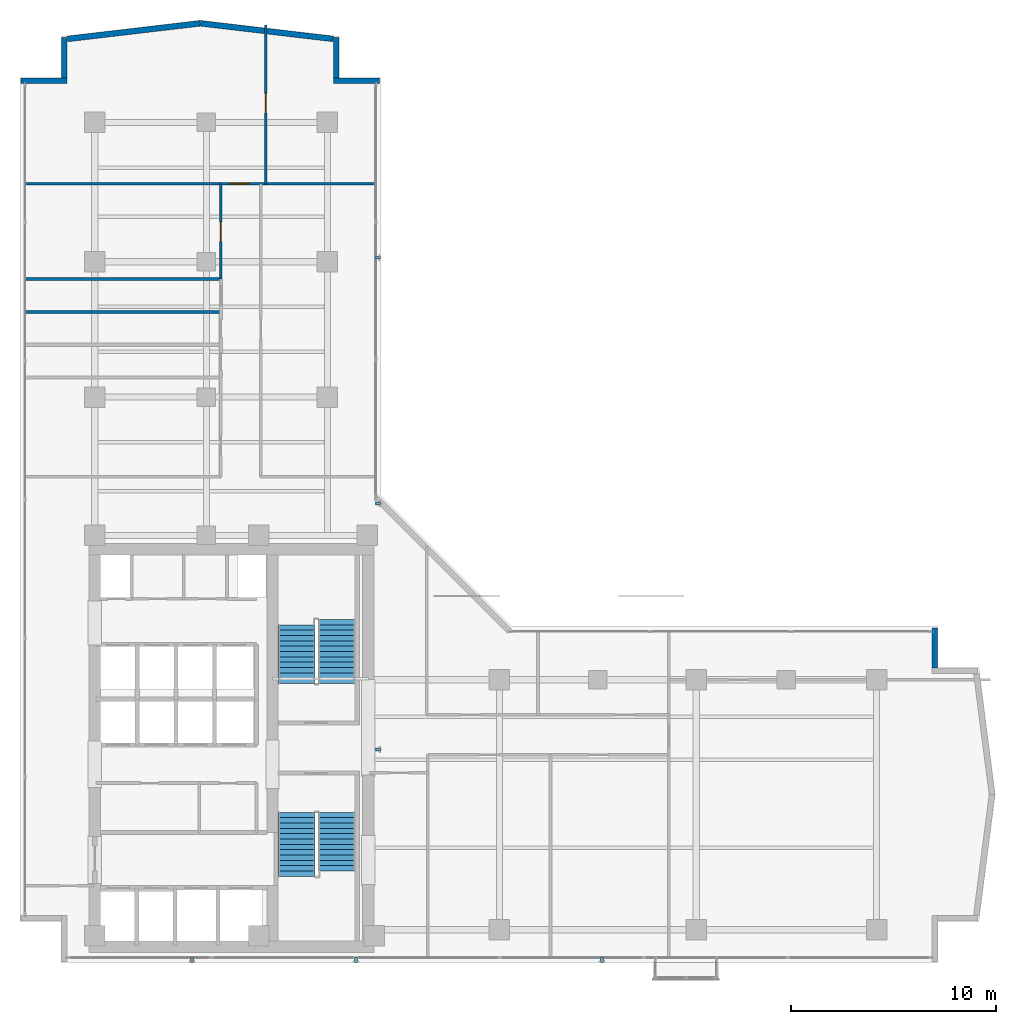
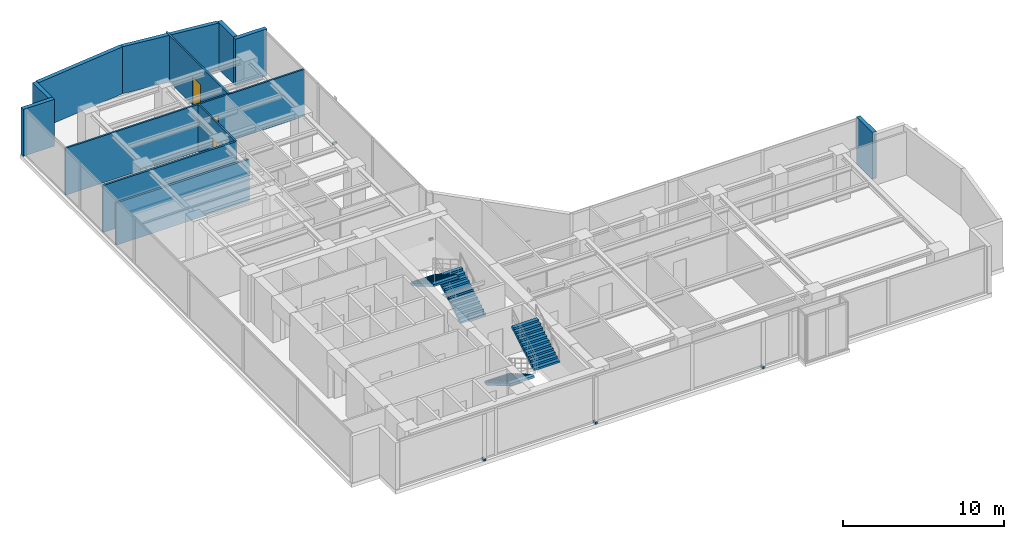
# One storey, part 19 of 25: 12 walls, 6 discrete accessories, 4 stair flights, 3 doors, 3 openings, 2 elements without a shape of their own.
"""IFC4 building model written with IfcOpenShell, lengths in metres."""

import ifcopenshell
import ifcopenshell.guid

model = None  # the IFC model being written
_history = None  # IfcOwnerHistory: only IFC2X3 demands one
_inside = {}  # id of a spatial element -> (the spatial element, [elements in it])
_under = {}  # id of a project, library or spatial element -> (it, [spatial elements below it])
_declared = {}  # id of a project -> (the project, [libraries it declares])
_typed = {}  # id of a type object -> (the type object, [elements of that type])
_made_of = {}  # id of a material, layer set ... -> (it, [elements and type objects made of it])


def new_model(schema):
    """Start an empty IFC model of exactly this schema.

    Asked for "IFC4X3", IfcOpenShell would pick the latest addendum, in which some entities
    have other attributes; the version numbers below select the first issue.
    IFC2X3 requires an IfcOwnerHistory on every rooted entity: one is made here for all.
    """
    global model, _history
    if schema == "IFC4X3":
        model = ifcopenshell.file(schema_version=(4, 3, 0, 0))
    else:
        model = ifcopenshell.file(schema=schema)
    _inside.clear()
    _under.clear()
    _declared.clear()
    _typed.clear()
    _made_of.clear()
    _history = None
    if model.schema == "IFC2X3":
        org = make("IfcOrganization", Name="unknown")
        user = make(
            "IfcPersonAndOrganization",
            ThePerson=make("IfcPerson", FamilyName="unknown"),
            TheOrganization=org,
        )
        app = make(
            "IfcApplication",
            ApplicationDeveloper=org,
            Version="unknown",
            ApplicationFullName="unknown",
            ApplicationIdentifier="unknown",
        )
        _history = make(
            "IfcOwnerHistory",
            OwningUser=user,
            OwningApplication=app,
            ChangeAction="ADDED",
            CreationDate=0,
        )
    return model


def make(cls, **values):
    """One entity of the class cls with the attributes given. An attribute that is None is left unset."""
    return model.create_entity(
        cls, **{name: value for name, value in values.items() if value is not None}
    )


def rooted(cls, **values):
    """An entity with a GlobalId (a new one), such as an element, a storey or a relation."""
    return make(cls, GlobalId=ifcopenshell.guid.new(), OwnerHistory=_history, **values)


def si_unit(unit_type, name, prefix=None):
    """IfcSIUnit, for example si_unit("LENGTHUNIT", "METRE", prefix="MILLI")."""
    return make("IfcSIUnit", UnitType=unit_type, Prefix=prefix, Name=name)


def assignment(units):
    """IfcUnitAssignment: the units of a project."""
    return None if units is None else make("IfcUnitAssignment", Units=units)


def point(xyz):
    """IfcCartesianPoint."""
    return None if xyz is None else make("IfcCartesianPoint", Coordinates=xyz)


def direction(xyz):
    """IfcDirection."""
    return None if xyz is None else make("IfcDirection", DirectionRatios=xyz)


def frame(location, z_axis=None, x_axis=None):
    """IfcAxis2Placement3D, a coordinate frame: its origin and axes. An axis left out is left unset."""
    return make(
        "IfcAxis2Placement3D",
        Location=point(location),
        Axis=direction(z_axis),
        RefDirection=direction(x_axis),
    )


def frame_2d(location, x_axis=None):
    """IfcAxis2Placement2D, a coordinate frame in the plane: its origin and x axis."""
    return make(
        "IfcAxis2Placement2D", Location=point(location), RefDirection=direction(x_axis)
    )


def origin():
    """The frame at (0, 0, 0) with its axes left unset."""
    return frame((0.0, 0.0, 0.0))


def origin_with_axes():
    """The frame at (0, 0, 0) with the z axis (0, 0, 1) and the x axis (1, 0, 0) written out."""
    return frame((0.0, 0.0, 0.0), z_axis=(0.0, 0.0, 1.0), x_axis=(1.0, 0.0, 0.0))


def origin_2d():
    """The frame at (0, 0) in the plane with its x axis left unset."""
    return frame_2d((0.0, 0.0))


def place(relative_to, where):
    """IfcLocalPlacement: puts the frame where relative to a parent placement (None: the world)."""
    return make(
        "IfcLocalPlacement", PlacementRelTo=relative_to, RelativePlacement=where
    )


def context(
    kind, dimensions, precision=None, world=None, true_north=None, identifier=None
):
    """IfcGeometricRepresentationContext, for example the 3D "Model" context."""
    return make(
        "IfcGeometricRepresentationContext",
        ContextIdentifier=identifier,
        ContextType=kind,
        CoordinateSpaceDimension=dimensions,
        Precision=precision,
        WorldCoordinateSystem=world,
        TrueNorth=true_north,
    )


def subcontext(parent, identifier, kind, view, scale=None):
    """IfcGeometricRepresentationSubContext, for example "Body" below "Model"."""
    return make(
        "IfcGeometricRepresentationSubContext",
        ContextIdentifier=identifier,
        ContextType=kind,
        ParentContext=parent,
        TargetScale=scale,
        TargetView=view,
    )


def project(units=None, contexts=None):
    """IfcProject with its units and contexts."""
    return rooted(
        "IfcProject",
        Name="project",
        RepresentationContexts=contexts,
        UnitsInContext=assignment(units),
    )


def spatial(cls, under=None, at=None, **own):
    """A site, building, storey or space (cls), placed at a placement, below another one or the project."""
    s = rooted(cls, ObjectPlacement=at, **own)
    if under is not None:
        _under.setdefault(under.id(), (under, []))[1].append(s)
    return s


def polyline(points):
    """IfcPolyline through the points."""
    return make("IfcPolyline", Points=[point(p) for p in points])


def profile(cls, at=None, kind="AREA", **sizes):
    """A parametric profile (cls). Its sizes go by their IFC names, for example OverallWidth=200.0."""
    return make(cls, ProfileType=kind, Position=at, **sizes)


def rectangle(**sizes):
    """IfcRectangleProfileDef."""
    return profile("IfcRectangleProfileDef", **sizes)


def outline(outer, holes=None, kind="AREA"):
    """IfcArbitraryClosedProfileDef: a profile drawn as a closed curve; with holes, ...WithVoids."""
    if holes is None:
        return make("IfcArbitraryClosedProfileDef", ProfileType=kind, OuterCurve=outer)
    return make(
        "IfcArbitraryProfileDefWithVoids",
        ProfileType=kind,
        OuterCurve=outer,
        InnerCurves=holes,
    )


def extrude(swept, where, along, depth):
    """IfcExtrudedAreaSolid: the profile swept, set in the frame where, extruded along a direction by depth."""
    return make(
        "IfcExtrudedAreaSolid",
        SweptArea=swept,
        Position=where,
        ExtrudedDirection=direction(along),
        Depth=depth,
    )


def shape(context_of_items, identifier, shape_type, items):
    """IfcShapeRepresentation: the items that make up one representation, for example the "Body"."""
    return make(
        "IfcShapeRepresentation",
        ContextOfItems=context_of_items,
        RepresentationIdentifier=identifier,
        RepresentationType=shape_type,
        Items=items,
    )


def source(mapping_origin, context_of_items, identifier, shape_type, items):
    """IfcRepresentationMap: a shape defined once, which mapped items show again and again."""
    return make(
        "IfcRepresentationMap",
        MappingOrigin=mapping_origin,
        MappedRepresentation=shape(context_of_items, identifier, shape_type, items),
    )


def transform(
    local_origin,
    x_axis=None,
    y_axis=None,
    z_axis=None,
    scale=None,
    scale2=None,
    scale3=None,
    uniform=True,
):
    """IfcCartesianTransformationOperator3D, or its non-uniform kind. x_axis, y_axis, z_axis: its Axis1, 2, 3."""
    if uniform:
        return make(
            "IfcCartesianTransformationOperator3D",
            Axis1=direction(x_axis),
            Axis2=direction(y_axis),
            LocalOrigin=point(local_origin),
            Scale=scale,
            Axis3=direction(z_axis),
        )
    return make(
        "IfcCartesianTransformationOperator3DnonUniform",
        Axis1=direction(x_axis),
        Axis2=direction(y_axis),
        LocalOrigin=point(local_origin),
        Scale=scale,
        Axis3=direction(z_axis),
        Scale2=scale2,
        Scale3=scale3,
    )


def mapped(mapping_source, mapping_target):
    """IfcMappedItem: shows the shape of a source again, moved by a transform."""
    return make(
        "IfcMappedItem", MappingSource=mapping_source, MappingTarget=mapping_target
    )


def material(Name=None, Category=None):
    """IfcMaterial."""
    return make("IfcMaterial", Name=Name, Category=Category)


def layer(
    of_material, thickness, ventilated=None, Name=None, Category=None, Priority=None
):
    """IfcMaterialLayer: one layer of a wall or slab, of a material (None: an air gap)."""
    return make(
        "IfcMaterialLayer",
        Material=of_material,
        LayerThickness=thickness,
        IsVentilated=ventilated,
        Name=Name,
        Category=Category,
        Priority=Priority,
    )


def layer_set(layers, Name=None):
    """IfcMaterialLayerSet."""
    return make("IfcMaterialLayerSet", MaterialLayers=layers, LayerSetName=Name)


def made_of(thing, what):
    """Note that an element or type object is made of a material, layer set ...; save() writes the relation."""
    if what is not None:
        _made_of.setdefault(what.id(), (what, []))[1].append(thing)
    return thing


def type_object(cls, material=None, **own):
    """A type object (cls), such as IfcWallType, which elements share."""
    return made_of(rooted(cls, **own), material)


def element(
    cls,
    number,
    at=None,
    inside=None,
    cuts=None,
    type_object=None,
    material=None,
    context=None,
    identifier="Body",
    shape_type=None,
    held_by="IfcProductDefinitionShape",
    body=None,
    shapes=None,
    **own,
):
    """One element of the class cls, such as IfcWall. Its Tag is "e" and its number.

    at: its placement. inside: the storey or other place that contains it. cuts: it is an
    opening in that element (IfcRelVoidsElement). A single representation is given by context,
    identifier, shape_type and body (its items); several are given by shapes. held_by: the class
    of the entity that holds the representations. save() writes the other relations.
    """
    e = rooted(cls, Tag="e%d" % number, ObjectPlacement=at, **own)
    if body is not None:
        shapes = [shape(context, identifier, shape_type, body)]
    if shapes is not None:
        e.Representation = make(held_by, Representations=shapes)
    if inside is not None:
        _inside.setdefault(inside.id(), (inside, []))[1].append(e)
    if cuts is not None:
        rooted(
            "IfcRelVoidsElement", RelatingBuildingElement=cuts, RelatedOpeningElement=e
        )
    if type_object is not None:
        _typed.setdefault(type_object.id(), (type_object, []))[1].append(e)
    return made_of(e, material)


def fill(opening, filler):
    """IfcRelFillsElement: the door or window that sits in an opening."""
    return rooted(
        "IfcRelFillsElement",
        RelatingOpeningElement=opening,
        RelatedBuildingElement=filler,
    )


def aggregate(whole, parts):
    """IfcRelAggregates: a whole, such as a stair, and the parts it consists of."""
    return rooted("IfcRelAggregates", RelatingObject=whole, RelatedObjects=parts)


def save(model, path):
    """Write the relations noted so far, then the file.

    IfcRelAggregates (storeys below a building ...), IfcRelContainedInSpatialStructure (elements
    in a storey), IfcRelDefinesByType, IfcRelAssociatesMaterial and IfcRelDeclares: one each for
    every whole, place, type object, material and project.
    """
    for whole, parts in _under.values():
        aggregate(whole, parts)
    for where, things in _inside.values():
        rooted(
            "IfcRelContainedInSpatialStructure",
            RelatedElements=things,
            RelatingStructure=where,
        )
    for kind, things in _typed.values():
        rooted("IfcRelDefinesByType", RelatedObjects=things, RelatingType=kind)
    for what, things in _made_of.values():
        rooted("IfcRelAssociatesMaterial", RelatedObjects=things, RelatingMaterial=what)
    for by, libraries in _declared.values():
        rooted("IfcRelDeclares", RelatingContext=by, RelatedDefinitions=libraries)
    model.write(path)


model = new_model("IFC4")

# Units and contexts
model_context = context("Model", 3, precision=1e-05, world=origin(), true_north=direction((0.0, 1.0)))
body_context = subcontext(model_context, "Body", "Model", "MODEL_VIEW")
ifc_project = project(units=[si_unit("LENGTHUNIT", "METRE"), si_unit("AREAUNIT", "SQUARE_METRE"), si_unit("VOLUMEUNIT", "CUBIC_METRE"), si_unit("PLANEANGLEUNIT", "RADIAN"), si_unit("MASSUNIT", "GRAM", prefix="KILO")], contexts=[model_context])

# Site, building, storey
site_placement = place(None, origin())
site = spatial("IfcSite", under=ifc_project, at=site_placement, CompositionType="ELEMENT")
building_placement = place(site_placement, origin())
building = spatial("IfcBuilding", under=site, at=building_placement, Name="Kolvaren Waterfront Exchange", CompositionType="ELEMENT")
storey_placement = place(building_placement, frame((0.0, 0.0, 223.5)))
storey = spatial("IfcBuildingStorey", under=building, at=storey_placement, Name="L57", CompositionType="ELEMENT", Elevation=223.5)

# Walls
ifc_material_1 = material(Name="Precast concrete C40/50", Category="concrete")
ifc_layer_1 = layer(ifc_material_1, 0.280029296875, Name="Precast concrete C40/50")
ifc_layer_set_1 = layer_set([ifc_layer_1], Name="Precast concrete C40/50")
wall_type_1 = type_object("IfcWallType", Name="ARC-EXT-TERR-280", PredefinedType="SOLIDWALL", material=ifc_layer_set_1)
wall_1_placement = place(storey_placement, frame((48.43994140625, 17.965087890625, 0.0), z_axis=(0.0, 0.0, 1.0), x_axis=(0.0, 1.0, 0.0)))
element("IfcWall", 1, at=wall_1_placement, inside=storey, type_object=wall_type_1, Name="L57 notched corner spandrel pier ENE-A", PredefinedType="SOLIDWALL", context=body_context, shape_type="SweptSolid", body=[
    extrude(rectangle(XDim=1.974853515625, YDim=0.280029296875, at=frame_2d((0.9873046875, 0.0))), origin(), (0.0, 0.0, 1.0), 3.56005859375),
])
wall_2_placement = place(storey_placement, frame((19.10009765625, 46.639892578125, 0.0), z_axis=(0.0, 0.0, 1.0), x_axis=(1.0, 0.0, 0.0)))
element("IfcWall", 2, at=wall_2_placement, inside=storey, type_object=wall_type_1, Name="L57 notched corner spandrel pier NNE-A", PredefinedType="SOLIDWALL", context=body_context, shape_type="SweptSolid", body=[
    extrude(rectangle(XDim=2.239990234375, YDim=0.280029296875, at=frame_2d((1.1201171875, 0.0))), origin(), (0.0, 0.0, 1.0), 3.56005859375),
])
wall_3_placement = place(storey_placement, frame((19.239990234375, 46.780029296875, 0.0), z_axis=(0.0, 0.0, 1.0), x_axis=(0.0, 1.0, 0.0)))
element("IfcWall", 3, at=wall_3_placement, inside=storey, type_object=wall_type_1, Name="L57 notched corner spandrel pier NNE-B", PredefinedType="SOLIDWALL", context=body_context, shape_type="SweptSolid", body=[
    extrude(rectangle(XDim=1.9599609375, YDim=0.280029296875, at=frame_2d((0.97998046875, 0.0))), origin(), (0.0, 0.0, 1.0), 3.56005859375),
])
wall_4_placement = place(storey_placement, frame((3.860107421875, 46.639892578125, 0.0), z_axis=(0.0, 0.0, 1.0), x_axis=(1.0, 0.0, 0.0)))
element("IfcWall", 4, at=wall_4_placement, inside=storey, type_object=wall_type_1, Name="L57 notched corner spandrel pier NW-A", PredefinedType="SOLIDWALL", context=body_context, shape_type="SweptSolid", body=[
    extrude(rectangle(XDim=2.239990234375, YDim=0.280029296875, at=frame_2d((1.1201171875, 0.0))), origin(), (0.0, 0.0, 1.0), 3.56005859375),
])
wall_5_placement = place(storey_placement, frame((5.9599609375, 46.780029296875, 0.0), z_axis=(0.0, 0.0, 1.0), x_axis=(0.0, 1.0, 0.0)))
element("IfcWall", 5, at=wall_5_placement, inside=storey, type_object=wall_type_1, Name="L57 notched corner spandrel pier NW-B", PredefinedType="SOLIDWALL", context=body_context, shape_type="SweptSolid", body=[
    extrude(rectangle(XDim=1.9599609375, YDim=0.280029296875, at=frame_2d((0.97998046875, 0.0))), origin(), (0.0, 0.0, 1.0), 3.56005859375),
])
for number, where, z_axis, x_axis, name in (
    (6, (19.08349609375, 48.676025390625, 0.0), (0.0, 0.0, 1.0), (-0.993149072278, 0.11685426921, 0.0), "L57 north prow faceted facade wall 1"),
    (7, (12.598876953125, 49.438720703125, 0.0), (0.0, 0.0, 1.0), (-0.993149072278, -0.11685426921, 0.0), "L57 north prow faceted facade wall 2"),
):
    element("IfcWall", number, at=place(storey_placement, frame(where, z_axis=z_axis, x_axis=x_axis)), inside=storey, type_object=wall_type_1, Name=name, PredefinedType="SOLIDWALL", context=body_context, shape_type="SweptSolid", body=[
        extrude(rectangle(XDim=6.52685546875, YDim=0.280029296875, at=frame_2d((3.263427734375, 0.0))), origin(), (0.0, 0.0, 1.0), 3.56005859375),
    ])

# Wall, opening, door
ifc_material_2 = material(Name="Acoustic gypsum steel stud", Category="steel")
ifc_layer_2 = layer(ifc_material_2, 0.125, Name="Acoustic gypsum steel stud")
ifc_layer_set_2 = layer_set([ifc_layer_2], Name="Acoustic gypsum steel stud")
wall_type_2 = type_object("IfcWallType", Name="ARC-PART-125", PredefinedType="PARTITIONING", material=ifc_layer_set_2)
wall_6_placement = place(storey_placement, frame((13.60009765625, 36.949951171875, 0.0), z_axis=(0.0, 0.0, 1.0), x_axis=(0.0, 1.0, 0.0)))
wall_6 = element("IfcWall", 8, at=wall_6_placement, inside=storey, type_object=wall_type_2, Name="L57 interior wall PW-L57-NW-CORR", PredefinedType="PARTITIONING", context=body_context, shape_type="SweptSolid", body=[
    extrude(rectangle(XDim=4.650146484375, YDim=0.125, at=frame_2d((2.3251953125, 0.0))), origin(), (0.0, 0.0, 1.0), 3.56005859375),
])
opening_1_placement = place(wall_6_placement, frame((1.85009765625, 0.0, 0.0)))
opening_1 = element("IfcOpeningElement", 9, at=opening_1_placement, cuts=wall_6, Name="Opening D02", PredefinedType="OPENING", context=body_context, shape_type="SweptSolid", body=[
    extrude(rectangle(XDim=0.949951171875, YDim=2.14990234375, at=frame_2d((0.47509765625, 1.074951171875))), frame((0.0, 0.072509765625, 0.0), z_axis=(0.0, -1.0, 0.0), x_axis=(1.0, 0.0, 0.0)), (0.0, 0.0, 1.0), 0.14501953125),
])
ifc_material_3 = material(Name="Oak veneer acoustic timber", Category="wood")
door_type_1 = type_object("IfcDoorType", Name="ARC-DR-950", OperationType="NOTDEFINED", PredefinedType="DOOR", material=ifc_material_3)
door_1_placement = place(opening_1_placement, origin())
door_1 = element("IfcDoor", 10, at=door_1_placement, inside=storey, type_object=door_type_1, Name="L57 door DR-L57-NW-D-1 (D02)", OperationType="SINGLE_SWING_RIGHT", OverallHeight=2.14990234375, OverallWidth=0.949951171875, PredefinedType="DOOR", context=body_context, shape_type="SweptSolid", body=[
    extrude(rectangle(XDim=0.949951171875, YDim=2.14990234375, at=frame_2d((0.47509765625, 1.074951171875))), frame((0.0, 0.02490234375, 0.0), z_axis=(0.0, -1.0, 0.0), x_axis=(1.0, 0.0, 0.0)), (0.0, 0.0, 1.0), 0.050048828125),
])
fill(opening_1, door_1)

wall_7_placement = place(storey_placement, frame((4.0400390625, 41.60009765625, 0.0), z_axis=(0.0, 0.0, 1.0), x_axis=(1.0, 0.0, 0.0)))
wall_7 = element("IfcWall", 11, at=wall_7_placement, inside=storey, type_object=wall_type_2, Name="L57 interior wall PW-L57-NTIP-S", PredefinedType="PARTITIONING", context=body_context, shape_type="SweptSolid", body=[
    extrude(rectangle(XDim=17.119873046875, YDim=0.125, at=frame_2d((8.56005859375, 0.0))), origin(), (0.0, 0.0, 1.0), 3.56005859375),
])
opening_2_placement = place(wall_7_placement, frame((9.9599609375, 0.0, 0.0)))
opening_2 = element("IfcOpeningElement", 12, at=opening_2_placement, cuts=wall_7, Name="Opening D03", PredefinedType="OPENING", context=body_context, shape_type="SweptSolid", body=[
    extrude(rectangle(XDim=1.0, YDim=2.199951171875, at=frame_2d((0.5, 1.10009765625))), frame((0.0, 0.072509765625, 0.0), z_axis=(0.0, -1.0, 0.0), x_axis=(1.0, 0.0, 0.0)), (0.0, 0.0, 1.0), 0.14501953125),
])
ifc_material_4 = material(Name="Oak veneer accessible timber", Category="wood")
door_type_2 = type_object("IfcDoorType", Name="ARC-DR-1000", OperationType="NOTDEFINED", PredefinedType="DOOR", material=ifc_material_4)
door_2_placement = place(opening_2_placement, origin())
door_2 = element("IfcDoor", 13, at=door_2_placement, inside=storey, type_object=door_type_2, Name="L57 door DR-L57-NTIPW-D (D03)", OperationType="SINGLE_SWING_LEFT", OverallHeight=2.199951171875, OverallWidth=1.0, PredefinedType="DOOR", context=body_context, shape_type="SweptSolid", body=[
    extrude(rectangle(XDim=1.0, YDim=2.199951171875, at=frame_2d((0.5, 1.10009765625))), frame((0.0, 0.02490234375, 0.0), z_axis=(0.0, -1.0, 0.0), x_axis=(1.0, 0.0, 0.0)), (0.0, 0.0, 1.0), 0.050048828125),
])
fill(opening_2, door_2)

wall_8_placement = place(storey_placement, frame((15.800048828125, 41.60009765625, 0.0), z_axis=(0.0, 0.0, 1.0), x_axis=(0.0, 1.0, 0.0)))
wall_8 = element("IfcWall", 14, at=wall_8_placement, inside=storey, type_object=wall_type_2, Name="L57 interior wall PW-L57-NTIP-DIV", PredefinedType="PARTITIONING", context=body_context, shape_type="SweptSolid", body=[
    extrude(rectangle(XDim=7.760009765625, YDim=0.125, at=frame_2d((3.8798828125, 0.0))), origin(), (0.0, 0.0, 1.0), 3.56005859375),
])
opening_3_placement = place(wall_8_placement, frame((3.470458984375, 0.0, 0.0)))
opening_3 = element("IfcOpeningElement", 15, at=opening_3_placement, cuts=wall_8, Name="Opening D02", PredefinedType="OPENING", context=body_context, shape_type="SweptSolid", body=[
    extrude(rectangle(XDim=0.949951171875, YDim=2.14990234375, at=frame_2d((0.47509765625, 1.074951171875))), frame((0.0, 0.072509765625, 0.0), z_axis=(0.0, -1.0, 0.0), x_axis=(1.0, 0.0, 0.0)), (0.0, 0.0, 1.0), 0.14501953125),
])
door_3_placement = place(opening_3_placement, origin())
door_3 = element("IfcDoor", 16, at=door_3_placement, inside=storey, type_object=door_type_1, Name="L57 door DR-L57-NTIPE-D (D02)", OperationType="SINGLE_SWING_RIGHT", OverallHeight=2.14990234375, OverallWidth=0.949951171875, PredefinedType="DOOR", context=body_context, shape_type="SweptSolid", body=[
    extrude(rectangle(XDim=0.949951171875, YDim=2.14990234375, at=frame_2d((0.47509765625, 1.074951171875))), frame((0.0, 0.02490234375, 0.0), z_axis=(0.0, -1.0, 0.0), x_axis=(1.0, 0.0, 0.0)), (0.0, 0.0, 1.0), 0.050048828125),
])
fill(opening_3, door_3)

# Walls
ifc_material_5 = material(Name="Moisture-resistant gypsum stud")
ifc_layer_3 = layer(ifc_material_5, 0.14990234375, Name="Moisture-resistant gypsum stud")
ifc_layer_set_3 = layer_set([ifc_layer_3], Name="Moisture-resistant gypsum stud")
wall_type_3 = type_object("IfcWallType", Name="ARC-PLUMB-150", PredefinedType="PLUMBINGWALL", material=ifc_layer_set_3)
wall_9_placement = place(storey_placement, frame((4.0400390625, 35.35009765625, 0.0), z_axis=(0.0, 0.0, 1.0), x_axis=(1.0, 0.0, 0.0)))
element("IfcWall", 17, at=wall_9_placement, inside=storey, type_object=wall_type_3, Name="L57 interior wall PW-L57-WC-2", PredefinedType="PLUMBINGWALL", context=body_context, shape_type="SweptSolid", body=[
    extrude(rectangle(XDim=9.56005859375, YDim=0.14990234375, at=frame_2d((4.780029296875, 0.0))), origin(), (0.0, 0.0, 1.0), 3.199951171875),
])
wall_10_placement = place(storey_placement, frame((4.0400390625, 36.949951171875, 0.0), z_axis=(0.0, 0.0, 1.0), x_axis=(1.0, 0.0, 0.0)))
element("IfcWall", 18, at=wall_10_placement, inside=storey, type_object=wall_type_3, Name="L57 interior wall PW-L57-WC-3", PredefinedType="PLUMBINGWALL", context=body_context, shape_type="SweptSolid", body=[
    extrude(rectangle(XDim=9.56005859375, YDim=0.14990234375, at=frame_2d((4.780029296875, 0.0))), origin(), (0.0, 0.0, 1.0), 3.56005859375),
])

# Stair, stair flights
ifc_material_6 = material(Name="Concrete C40/50", Category="concrete")
stair_type = type_object("IfcStairType", Name="ARC-STAIR-3800", PredefinedType="HALF_TURN_STAIR", material=ifc_material_6)
stair_1_placement = place(storey_placement, origin())
stair_1 = element("IfcStair", 19, at=stair_1_placement, inside=storey, type_object=stair_type, Name="L57 Smoke-proof exit stair ST1", PredefinedType="HALF_TURN_STAIR")
stair_flight_type = type_object("IfcStairFlightType", Name="ARC-FLIGHT-3800", PredefinedType="STRAIGHT", material=ifc_material_6)
stair_flight_1_placement = place(storey_placement, frame((17.300048828125, 10.929931640625, 0.0), z_axis=(0.0, 0.0, 1.0), x_axis=(0.0, -1.0, 0.0)))
stair_flight_1 = element("IfcStairFlight", 20, at=stair_flight_1_placement, type_object=stair_flight_type, Name="ST1 flight 1", NumberOfRisers=13, NumberOfTreads=12, PredefinedType="STRAIGHT", RiserHeight=0.152, TreadLength=0.26, context=body_context, shape_type="SweptSolid", body=[
    extrude(outline(polyline([(0.0, 0.0), (0.0, 0.152099609375), (0.260009765625, 0.152099609375), (0.260009765625, 0.303955078125), (0.52001953125, 0.303955078125), (0.52001953125, 0.4560546875), (0.780029296875, 0.4560546875), (0.780029296875, 0.60791015625), (1.0400390625, 0.60791015625), (1.0400390625, 0.760009765625), (1.300048828125, 0.760009765625), (1.300048828125, 0.912109375), (1.56005859375, 0.912109375), (1.56005859375, 1.06396484375), (1.820068359375, 1.06396484375), (1.820068359375, 1.216064453125), (2.080078125, 1.216064453125), (2.080078125, 1.367919921875), (2.340087890625, 1.367919921875), (2.340087890625, 1.52001953125), (2.60009765625, 1.52001953125), (2.60009765625, 1.672119140625), (2.860107421875, 1.672119140625), (2.860107421875, 1.823974609375), (3.1201171875, 1.823974609375), (3.1201171875, 1.97607421875), (3.1201171875, 1.650390625), (0.297119140625, 0.0), (0.0, 0.0)])), frame((0.0, 0.89990234375, 0.0), z_axis=(0.0, -1.0, 0.0), x_axis=(1.0, 0.0, 0.0)), (0.0, 0.0, 1.0), 1.800048828125),
])
stair_flight_2_placement = place(storey_placement, frame((19.260009765625, 8.070068359375, 1.97607421875), z_axis=(0.0, 0.0, 1.0), x_axis=(0.0, 1.0, 0.0)))
stair_flight_2 = element("IfcStairFlight", 21, at=stair_flight_2_placement, type_object=stair_flight_type, Name="ST1 flight 2", NumberOfRisers=12, NumberOfTreads=11, PredefinedType="STRAIGHT", RiserHeight=0.152, TreadLength=0.26, context=body_context, shape_type="SweptSolid", body=[
    extrude(outline(polyline([(0.0, 0.0), (0.0, 0.152099609375), (0.260009765625, 0.152099609375), (0.260009765625, 0.303955078125), (0.52001953125, 0.303955078125), (0.52001953125, 0.4560546875), (0.780029296875, 0.4560546875), (0.780029296875, 0.60791015625), (1.0400390625, 0.60791015625), (1.0400390625, 0.760009765625), (1.300048828125, 0.760009765625), (1.300048828125, 0.912109375), (1.56005859375, 0.912109375), (1.56005859375, 1.06396484375), (1.820068359375, 1.06396484375), (1.820068359375, 1.216064453125), (2.080078125, 1.216064453125), (2.080078125, 1.367919921875), (2.340087890625, 1.367919921875), (2.340087890625, 1.52001953125), (2.60009765625, 1.52001953125), (2.60009765625, 1.672119140625), (2.860107421875, 1.672119140625), (2.860107421875, 1.823974609375), (2.860107421875, 1.498291015625), (0.297119140625, 0.0), (0.0, 0.0)])), frame((0.0, 0.89990234375, 0.0), z_axis=(0.0, -1.0, 0.0), x_axis=(1.0, 0.0, 0.0)), (0.0, 0.0, 1.0), 1.800048828125),
])
aggregate(stair_1, [stair_flight_1, stair_flight_2])

stair_2_placement = place(storey_placement, origin())
stair_2 = element("IfcStair", 22, at=stair_2_placement, inside=storey, type_object=stair_type, Name="L57 Smoke-proof exit stair ST2", PredefinedType="HALF_TURN_STAIR")
stair_flight_3_placement = place(storey_placement, frame((19.260009765625, 17.219970703125, 0.0), z_axis=(0.0, 0.0, 1.0), x_axis=(0.0, 1.0, 0.0)))
stair_flight_3 = element("IfcStairFlight", 23, at=stair_flight_3_placement, type_object=stair_flight_type, Name="ST2 flight 1", NumberOfRisers=13, NumberOfTreads=12, PredefinedType="STRAIGHT", RiserHeight=0.152, TreadLength=0.26, context=body_context, shape_type="SweptSolid", body=[
    extrude(outline(polyline([(0.0, 0.0), (0.0, 0.152099609375), (0.260009765625, 0.152099609375), (0.260009765625, 0.303955078125), (0.52001953125, 0.303955078125), (0.52001953125, 0.4560546875), (0.780029296875, 0.4560546875), (0.780029296875, 0.60791015625), (1.0400390625, 0.60791015625), (1.0400390625, 0.760009765625), (1.300048828125, 0.760009765625), (1.300048828125, 0.912109375), (1.56005859375, 0.912109375), (1.56005859375, 1.06396484375), (1.820068359375, 1.06396484375), (1.820068359375, 1.216064453125), (2.080078125, 1.216064453125), (2.080078125, 1.367919921875), (2.340087890625, 1.367919921875), (2.340087890625, 1.52001953125), (2.60009765625, 1.52001953125), (2.60009765625, 1.672119140625), (2.860107421875, 1.672119140625), (2.860107421875, 1.823974609375), (3.1201171875, 1.823974609375), (3.1201171875, 1.97607421875), (3.1201171875, 1.650390625), (0.297119140625, 0.0), (0.0, 0.0)])), frame((0.0, 0.89990234375, 0.0), z_axis=(0.0, -1.0, 0.0), x_axis=(1.0, 0.0, 0.0)), (0.0, 0.0, 1.0), 1.800048828125),
])
stair_flight_4_placement = place(storey_placement, frame((17.300048828125, 20.080078125, 1.97607421875), z_axis=(0.0, 0.0, 1.0), x_axis=(0.0, -1.0, 0.0)))
stair_flight_4 = element("IfcStairFlight", 24, at=stair_flight_4_placement, type_object=stair_flight_type, Name="ST2 flight 2", NumberOfRisers=12, NumberOfTreads=11, PredefinedType="STRAIGHT", RiserHeight=0.152, TreadLength=0.26, context=body_context, shape_type="SweptSolid", body=[
    extrude(outline(polyline([(0.0, 0.0), (0.0, 0.152099609375), (0.260009765625, 0.152099609375), (0.260009765625, 0.303955078125), (0.52001953125, 0.303955078125), (0.52001953125, 0.4560546875), (0.780029296875, 0.4560546875), (0.780029296875, 0.60791015625), (1.0400390625, 0.60791015625), (1.0400390625, 0.760009765625), (1.300048828125, 0.760009765625), (1.300048828125, 0.912109375), (1.56005859375, 0.912109375), (1.56005859375, 1.06396484375), (1.820068359375, 1.06396484375), (1.820068359375, 1.216064453125), (2.080078125, 1.216064453125), (2.080078125, 1.367919921875), (2.340087890625, 1.367919921875), (2.340087890625, 1.52001953125), (2.60009765625, 1.52001953125), (2.60009765625, 1.672119140625), (2.860107421875, 1.672119140625), (2.860107421875, 1.823974609375), (2.860107421875, 1.498291015625), (0.297119140625, 0.0), (0.0, 0.0)])), frame((0.0, 0.89990234375, 0.0), z_axis=(0.0, -1.0, 0.0), x_axis=(1.0, 0.0, 0.0)), (0.0, 0.0, 1.0), 1.800048828125),
])
aggregate(stair_2, [stair_flight_3, stair_flight_4])

# Discrete accessories
ifc_material_7 = material(Name="Stainless steel 316", Category="steel")
discrete_accessory_type = type_object("IfcDiscreteAccessoryType", Name="ARC-BRK-FIN", PredefinedType="BRACKET", material=ifc_material_7)
shared_shape = source(origin_with_axes(), body_context, "Body", "SweptSolid", [
    extrude(rectangle(XDim=0.280029296875, YDim=0.139892578125, at=origin_2d()), origin(), (0.0, 0.0, 1.0), 0.159912109375),
])
for number, where, z_axis, x_axis, name in (
    (25, (12.199951171875, 3.719970703125, 0.0), (0.0, 0.0, 1.0), (0.0, -1.0, 0.0), "L57 bronze fin anchor bracket FIN-L57-S1"),
    (26, (20.199951171875, 3.719970703125, 0.0), (0.0, 0.0, 1.0), (0.0, -1.0, 0.0), "L57 bronze fin anchor bracket FIN-L57-S2"),
    (27, (32.199951171875, 3.719970703125, 0.0), (0.0, 0.0, 1.0), (0.0, -1.0, 0.0), "L57 bronze fin anchor bracket FIN-L57-S3"),
    (28, (21.280029296875, 14.0, 0.0), (0.0, 0.0, 1.0), (1.0, 0.0, 0.0), "L57 bronze fin anchor bracket FIN-L57-E1"),
    (29, (21.280029296875, 26.0, 0.0), (0.0, 0.0, 1.0), (1.0, 0.0, 0.0), "L57 bronze fin anchor bracket FIN-L57-E2"),
    (30, (21.280029296875, 38.0, 0.0), (0.0, 0.0, 1.0), (1.0, 0.0, 0.0), "L57 bronze fin anchor bracket FIN-L57-E3"),
):
    element("IfcDiscreteAccessory", number, at=place(storey_placement, frame(where, z_axis=z_axis, x_axis=x_axis)), inside=storey, type_object=discrete_accessory_type, Name=name, PredefinedType="BRACKET", context=body_context, shape_type="MappedRepresentation", body=[
        mapped(shared_shape, transform((0.0, 0.0, 0.0), x_axis=(1.0, 0.0, 0.0), y_axis=(0.0, 1.0, 0.0), z_axis=(0.0, 0.0, 1.0), scale=1.0)),
    ])

save(model, "model.ifc")
